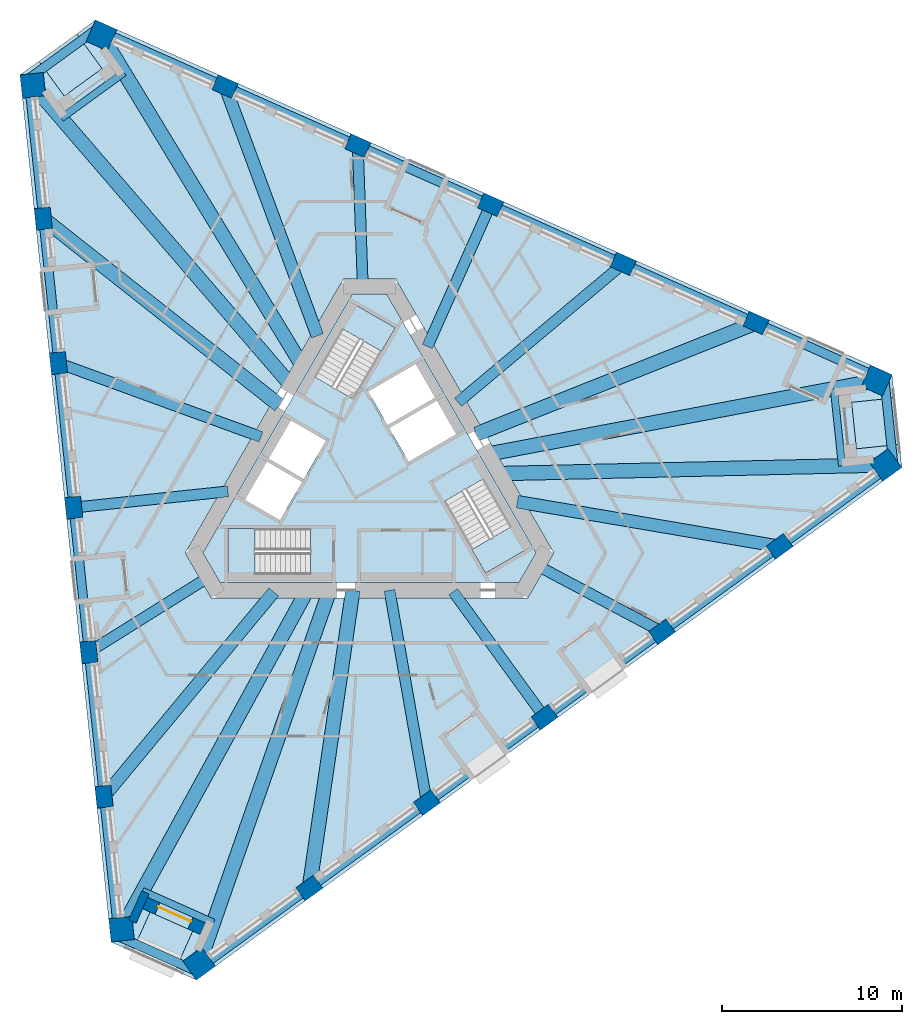
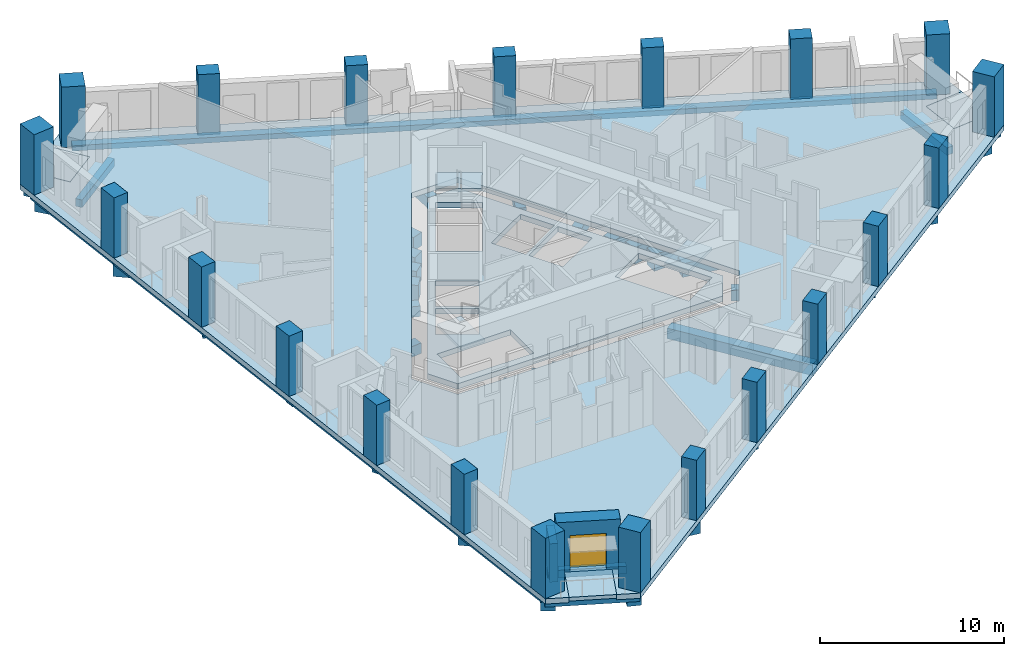
# One storey, part 1 of 14: 30 beams, 21 columns, 8 slabs, 2 walls, 1 door, 1 opening, 3 elements without a shape of their own.
"""IFC4 building model written with IfcOpenShell, lengths in metres."""

from ifc_helpers import new_model, si_unit, direction, frame, frame_2d, origin, origin_2d, place, context, subcontext, project, spatial, polyline, rectangle, outline, extrude, material, layer, layer_set, material_profile, profile_set, type_object, element, fill, aggregate, save


model = new_model("IFC4")

# Units and contexts
model_context = context("Model", 3, precision=1e-05, world=origin(), true_north=direction((0.0, 1.0)))
body_context = subcontext(model_context, "Body", "Model", "MODEL_VIEW")
ifc_project = project(units=[si_unit("LENGTHUNIT", "METRE"), si_unit("AREAUNIT", "SQUARE_METRE"), si_unit("VOLUMEUNIT", "CUBIC_METRE"), si_unit("PLANEANGLEUNIT", "RADIAN"), si_unit("MASSUNIT", "GRAM", prefix="KILO")], contexts=[model_context])

# Site, building, storey
site_placement = place(None, origin())
site = spatial("IfcSite", under=ifc_project, at=site_placement, CompositionType="ELEMENT")
building_placement = place(site_placement, origin())
building = spatial("IfcBuilding", under=site, at=building_placement, Name="Tramontana Tower", CompositionType="ELEMENT")
storey_placement = place(building_placement, frame((0.0, 0.0, 174.800048828125)))
storey = spatial("IfcBuildingStorey", under=building, at=storey_placement, Name="L40", CompositionType="ELEMENT", Elevation=174.800048828125)

# Columns
ifc_material_1 = material(Name="Concrete 55 MPa", Category="concrete")
ifc_material_profile_1 = material_profile(ifc_material_1, rectangle(XDim=1.300048828125, YDim=1.300048828125, at=origin_2d()), Name="Mega column 1300X1300 55 MPa")
ifc_profile_set_1 = profile_set([ifc_material_profile_1], Name="Concrete 55 MPa")
column_type_1 = type_object("IfcColumnType", Name="Mega column 1300X1300 55 MPa", PredefinedType="COLUMN", material=ifc_profile_set_1)
for number, where, z_axis, x_axis, name in (
    (1, (-18.72705078125, 21.760498046875, 0.0), (0.0, 0.0, 1.0), (0.104528463268, -0.994521895368, 0.0), "Mega column C4K1 L40"),
    (2, (-13.793701171875, -25.178466796875, 0.0), (0.0, 0.0, 1.0), (0.104528463268, -0.994521895368, 0.0), "Mega column C4K2 L40"),
    (3, (-9.4814453125, -27.098388671875, 0.0), (0.0, 0.0, 1.0), (0.809016994375, 0.587785252292, 0.0), "Mega column C4K3 L40"),
    (4, (28.7021484375, 0.6435546875, 0.0), (0.0, 0.0, 1.0), (0.809016994375, 0.587785252292, 0.0), "Mega column C4K4 L40"),
    (5, (28.208740234375, 5.337890625, 0.0), (0.0, 0.0, 1.0), (-0.913545457643, 0.406736643076, 0.0), "Mega column C4K5 L40"),
    (6, (-14.908447265625, 24.534912109375, 0.0), (0.0, 0.0, 1.0), (-0.913545457643, 0.406736643076, 0.0), "Mega column C4K6 L40"),
):
    element("IfcColumn", number, at=place(storey_placement, frame(where, z_axis=z_axis, x_axis=x_axis)), inside=storey, type_object=column_type_1, Name=name, PredefinedType="COLUMN", context=body_context, shape_type="SweptSolid", body=[
        extrude(rectangle(XDim=1.300048828125, YDim=1.300048828125, at=origin_2d()), origin(), (0.0, 0.0, 1.0), 4.0),
    ])
ifc_material_2 = material(Name="Concrete 55 MPa", Category="concrete")
ifc_material_profile_2 = material_profile(ifc_material_2, rectangle(XDim=1.199951171875, YDim=0.89990234375, at=origin_2d()), Name="Pier column 1200X900 55 MPa")
ifc_profile_set_2 = profile_set([ifc_material_profile_2], Name="Concrete 55 MPa")
column_type_2 = type_object("IfcColumnType", Name="Pier column 1200X900 55 MPa", PredefinedType="COLUMN", material=ifc_profile_set_2)
for number, where, z_axis, x_axis, name in (
    (7, (-18.149169921875, 14.347412109375, 0.0), (0.0, 0.0, 1.0), (0.104528463268, -0.994521895368, 0.0), "Pier column C4F01 L40"),
    (8, (-17.30419921875, 6.30859375, 0.0), (0.0, 0.0, 1.0), (0.104528463268, -0.994521895368, 0.0), "Pier column C4F02 L40"),
    (9, (-16.459228515625, -1.72998046875, 0.0), (0.0, 0.0, 1.0), (0.104528463268, -0.994521895368, 0.0), "Pier column C4F03 L40"),
    (10, (-15.614501953125, -9.7685546875, 0.0), (0.0, 0.0, 1.0), (0.104528463268, -0.994521895368, 0.0), "Pier column C4F04 L40"),
    (11, (-14.76953125, -17.80712890625, 0.0), (0.0, 0.0, 1.0), (0.104528463268, -0.994521895368, 0.0), "Pier column C4F05 L40"),
    (12, (-3.3505859375, -22.891357421875, 0.0), (0.0, 0.0, 1.0), (0.809016994375, 0.587785252292, 0.0), "Pier column C4F06 L40"),
    (13, (3.188720703125, -18.14013671875, 0.0), (0.0, 0.0, 1.0), (0.809016994375, 0.587785252292, 0.0), "Pier column C4F07 L40"),
    (14, (9.727783203125, -13.38916015625, 0.0), (0.0, 0.0, 1.0), (0.809016994375, 0.587785252292, 0.0), "Pier column C4F08 L40"),
    (15, (16.26708984375, -8.63818359375, 0.0), (0.0, 0.0, 1.0), (0.809016994375, 0.587785252292, 0.0), "Pier column C4F09 L40"),
    (16, (22.80615234375, -3.88720703125, 0.0), (0.0, 0.0, 1.0), (0.809016994375, 0.587785252292, 0.0), "Pier column C4F10 L40"),
    (17, (21.499755859375, 8.5439453125, 0.0), (0.0, 0.0, 1.0), (-0.913545457643, 0.406736643076, 0.0), "Pier column C4F11 L40"),
    (18, (14.115478515625, 11.83154296875, 0.0), (0.0, 0.0, 1.0), (-0.913545457643, 0.406736643076, 0.0), "Pier column C4F12 L40"),
    (19, (6.7314453125, 15.119140625, 0.0), (0.0, 0.0, 1.0), (-0.913545457643, 0.406736643076, 0.0), "Pier column C4F13 L40"),
    (20, (-0.652587890625, 18.40673828125, 0.0), (0.0, 0.0, 1.0), (-0.913545457643, 0.406736643076, 0.0), "Pier column C4F14 L40"),
    (21, (-8.03662109375, 21.6943359375, 0.0), (0.0, 0.0, 1.0), (-0.913545457643, 0.406736643076, 0.0), "Pier column C4F15 L40"),
):
    element("IfcColumn", number, at=place(storey_placement, frame(where, z_axis=z_axis, x_axis=x_axis)), inside=storey, type_object=column_type_2, Name=name, PredefinedType="COLUMN", context=body_context, shape_type="SweptSolid", body=[
        extrude(rectangle(XDim=1.199951171875, YDim=0.89990234375, at=origin_2d()), origin(), (0.0, 0.0, 1.0), 4.0),
    ])

# Beams
ifc_material_3 = material(Name="Concrete 40 MPa", Category="concrete")
ifc_material_profile_3 = material_profile(ifc_material_3, rectangle(XDim=0.5, YDim=0.35009765625, at=origin_2d()), Name="RC EDGE BEAM 500X350 40 MPa")
ifc_profile_set_3 = profile_set([ifc_material_profile_3], Name="Concrete 40 MPa")
beam_type_1 = type_object("IfcBeamType", Name="RC EDGE BEAM 500X350 40 MPa", PredefinedType="SPANDREL", material=ifc_profile_set_3)
for number, where, z_axis, x_axis, name in (
    (22, (-18.926025390625, 21.739501953125, -0.525146484375), (0.104525646884, -0.994522191378, 0.0), (0.994522191378, 0.104525646884, 0.0), "Spandrel beam S0 L40"),
    (23, (-9.364013671875, -27.26025390625, -0.525146484375), (0.809017612716, 0.587784401218, 0.0), (-0.587784401218, 0.809017612716, 0.0), "Spandrel beam S1 L40"),
):
    element("IfcBeam", number, at=place(storey_placement, frame(where, z_axis=z_axis, x_axis=x_axis)), inside=storey, type_object=beam_type_1, Name=name, PredefinedType="SPANDREL", context=body_context, shape_type="SweptSolid", body=[
        extrude(rectangle(XDim=0.5, YDim=0.35009765625, at=origin_2d()), origin(), (0.0, 0.0, 1.0), 47.197509765625),
    ])
beam_1_placement = place(storey_placement, frame((28.2900390625, 5.520751953125, -0.525146484375), z_axis=(-0.913546423332, 0.406734474095, 0.0), x_axis=(-0.406734474095, -0.913546423332, 0.0)))
element("IfcBeam", 24, at=beam_1_placement, inside=storey, type_object=beam_type_1, Name="Spandrel beam S2 L40", PredefinedType="SPANDREL", context=body_context, shape_type="SweptSolid", body=[
    extrude(rectangle(XDim=0.5, YDim=0.35009765625, at=origin_2d()), origin(), (0.0, 0.0, 1.0), 47.197265625),
])
beam_2_placement = place(storey_placement, frame((-14.973388671875, 25.029052734375, -0.525146484375), z_axis=(-0.809008263593, -0.587797268995, 0.0), x_axis=(0.587797268995, -0.809008263593, 0.0)))
element("IfcBeam", 25, at=beam_2_placement, inside=storey, type_object=beam_type_1, Name="Spandrel beam K0 L40", PredefinedType="SPANDREL", context=body_context, shape_type="SweptSolid", body=[
    extrude(rectangle(XDim=0.5, YDim=0.35009765625, at=origin_2d()), origin(), (0.0, 0.0, 1.0), 5.196044921875),
])
for number, where, z_axis, x_axis, name in (
    (26, (-14.189208984375, -25.481689453125, -0.525146484375), (0.91354592127, -0.40673560175, 0.0), (0.40673560175, 0.91354592127, 0.0), "Spandrel beam K1 L40"),
    (27, (29.162353515625, 0.45263671875, -0.525146484375), (-0.104494011766, 0.994525515764, 0.0), (-0.994525515764, -0.104494011766, 0.0), "Spandrel beam K2 L40"),
):
    element("IfcBeam", number, at=place(storey_placement, frame(where, z_axis=z_axis, x_axis=x_axis)), inside=storey, type_object=beam_type_1, Name=name, PredefinedType="SPANDREL", context=body_context, shape_type="SweptSolid", body=[
        extrude(rectangle(XDim=0.5, YDim=0.35009765625, at=origin_2d()), origin(), (0.0, 0.0, 1.0), 5.1962890625),
    ])
ifc_material_4 = material(Name="Concrete 40 MPa", Category="concrete")
ifc_material_profile_4 = material_profile(ifc_material_4, rectangle(XDim=0.60009765625, YDim=0.699951171875, at=origin_2d()), Name="RC GIRDER 600X700 40 MPa")
ifc_profile_set_4 = profile_set([ifc_material_profile_4], Name="Concrete 40 MPa")
beam_type_2 = type_object("IfcBeamType", Name="RC GIRDER 600X700 40 MPa", PredefinedType="BEAM", material=ifc_profile_set_4)
beam_3_placement = place(storey_placement, frame((-17.30419921875, 6.30859375, -0.699951171875), z_axis=(0.939513090247, -0.342512997205, 0.0), x_axis=(0.342512997205, 0.939513090247, 0.0)))
element("IfcBeam", 28, at=beam_3_placement, inside=storey, type_object=beam_type_2, Name="Radial girder C4F02 L40", PredefinedType="BEAM", context=body_context, shape_type="SweptSolid", body=[
    extrude(rectangle(XDim=0.60009765625, YDim=0.699951171875, at=origin_2d()), origin(), (0.0, 0.0, 1.0), 11.989990234375),
])
beam_4_placement = place(storey_placement, frame((-16.459228515625, -1.72998046875, -0.699951171875), z_axis=(0.994520630985, 0.104540492367, 0.0), x_axis=(-0.104540492367, 0.994520630985, 0.0)))
element("IfcBeam", 29, at=beam_4_placement, inside=storey, type_object=beam_type_2, Name="Radial girder C4F03 L40", PredefinedType="BEAM", context=body_context, shape_type="SweptSolid", body=[
    extrude(rectangle(XDim=0.60009765625, YDim=0.699951171875, at=origin_2d()), origin(), (0.0, 0.0, 1.0), 8.631591796875),
])
beam_5_placement = place(storey_placement, frame((-15.614501953125, -9.7685546875, -0.699951171875), z_axis=(0.847767192537, 0.530368539091, 0.0), x_axis=(-0.530368539091, 0.847767192537, 0.0)))
element("IfcBeam", 30, at=beam_5_placement, inside=storey, type_object=beam_type_2, Name="Radial girder C4F04 L40", PredefinedType="BEAM", context=body_context, shape_type="SweptSolid", body=[
    extrude(rectangle(XDim=0.60009765625, YDim=0.699951171875, at=origin_2d()), origin(), (0.0, 0.0, 1.0), 7.83642578125),
])
beam_6_placement = place(storey_placement, frame((3.188720703125, -18.14013671875, -0.699951171875), z_axis=(-0.173139447083, 0.984897320467, 0.0), x_axis=(-0.984897320467, -0.173139447083, 0.0)))
element("IfcBeam", 31, at=beam_6_placement, inside=storey, type_object=beam_type_2, Name="Radial girder C4F07 L40", PredefinedType="BEAM", context=body_context, shape_type="SweptSolid", body=[
    extrude(rectangle(XDim=0.60009765625, YDim=0.699951171875, at=origin_2d()), origin(), (0.0, 0.0, 1.0), 11.989990234375),
])
beam_7_placement = place(storey_placement, frame((9.727783203125, -13.38916015625, -0.699951171875), z_axis=(-0.587793224159, 0.809011202415, 0.0), x_axis=(-0.809011202415, -0.587793224159, 0.0)))
element("IfcBeam", 32, at=beam_7_placement, inside=storey, type_object=beam_type_2, Name="Radial girder C4F08 L40", PredefinedType="BEAM", context=body_context, shape_type="SweptSolid", body=[
    extrude(rectangle(XDim=0.60009765625, YDim=0.699951171875, at=origin_2d()), origin(), (0.0, 0.0, 1.0), 8.63134765625),
])
beam_8_placement = place(storey_placement, frame((16.26708984375, -8.63818359375, -0.699951171875), z_axis=(-0.883198396805, 0.468999564905, 0.0), x_axis=(-0.468999564905, -0.883198396805, 0.0)))
element("IfcBeam", 33, at=beam_8_placement, inside=storey, type_object=beam_type_2, Name="Radial girder C4F09 L40", PredefinedType="BEAM", context=body_context, shape_type="SweptSolid", body=[
    extrude(rectangle(XDim=0.60009765625, YDim=0.699951171875, at=origin_2d()), origin(), (0.0, 0.0, 1.0), 7.83642578125),
])
beam_9_placement = place(storey_placement, frame((14.115478515625, 11.83154296875, -0.699951171875), z_axis=(-0.766377147971, -0.642390898961, 0.0), x_axis=(0.642390898961, -0.766377147971, 0.0)))
element("IfcBeam", 34, at=beam_9_placement, inside=storey, type_object=beam_type_2, Name="Radial girder C4F12 L40", PredefinedType="BEAM", context=body_context, shape_type="SweptSolid", body=[
    extrude(rectangle(XDim=0.60009765625, YDim=0.699951171875, at=origin_2d()), origin(), (0.0, 0.0, 1.0), 11.98974609375),
])
beam_10_placement = place(storey_placement, frame((6.7314453125, 15.119140625, -0.699951171875), z_axis=(-0.406736735655, -0.913545416424, 0.0), x_axis=(0.913545416424, -0.406736735655, 0.0)))
element("IfcBeam", 35, at=beam_10_placement, inside=storey, type_object=beam_type_2, Name="Radial girder C4F13 L40", PredefinedType="BEAM", context=body_context, shape_type="SweptSolid", body=[
    extrude(rectangle(XDim=0.60009765625, YDim=0.699951171875, at=origin_2d()), origin(), (0.0, 0.0, 1.0), 8.631591796875),
])
beam_11_placement = place(storey_placement, frame((-0.652587890625, 18.40673828125, -0.699951171875), z_axis=(0.035422608777, -0.999372422467, 0.0), x_axis=(0.999372422467, 0.035422608777, 0.0)))
element("IfcBeam", 36, at=beam_11_placement, inside=storey, type_object=beam_type_2, Name="Radial girder C4F14 L40", PredefinedType="BEAM", context=body_context, shape_type="SweptSolid", body=[
    extrude(rectangle(XDim=0.60009765625, YDim=0.699951171875, at=origin_2d()), origin(), (0.0, 0.0, 1.0), 7.83642578125),
])
ifc_material_5 = material(Name="Concrete 40 MPa", Category="concrete")
ifc_material_profile_5 = material_profile(ifc_material_5, rectangle(XDim=0.699951171875, YDim=0.89990234375, at=origin_2d()), Name="RC GIRDER 700X900 40 MPa")
ifc_profile_set_5 = profile_set([ifc_material_profile_5], Name="Concrete 40 MPa")
beam_type_3 = type_object("IfcBeamType", Name="RC GIRDER 700X900 40 MPa", PredefinedType="BEAM", material=ifc_profile_set_5)
for number, where, z_axis, x_axis, name in (
    (37, (-14.76953125, -17.80712890625, -0.800048828125), (0.638406477844, 0.769699401745, 0.0), (-0.769699401745, 0.638406477844, 0.0), "Radial girder C4F05 L40"),
    (38, (22.806396484375, -3.88720703125, -0.800048828125), (-0.985783673381, 0.168019490821, 0.0), (-0.168019490821, -0.985783673381, 0.0), "Radial girder C4F10 L40"),
    (39, (-8.03662109375, 21.6943359375, -0.800048828125), (0.347381556139, -0.93772386898, 0.0), (0.93772386898, 0.347381556139, 0.0), "Radial girder C4F15 L40"),
):
    element("IfcBeam", number, at=place(storey_placement, frame(where, z_axis=z_axis, x_axis=x_axis)), inside=storey, type_object=beam_type_3, Name=name, PredefinedType="BEAM", context=body_context, shape_type="SweptSolid", body=[
        extrude(rectangle(XDim=0.699951171875, YDim=0.89990234375, at=origin_2d()), origin(), (0.0, 0.0, 1.0), 14.79052734375),
    ])
ifc_material_6 = material(Name="Concrete 40 MPa", Category="concrete")
ifc_material_profile_6 = material_profile(ifc_material_6, rectangle(XDim=0.800048828125, YDim=1.10009765625, at=origin_2d()), Name="RC GIRDER 800X1100 40 MPa")
ifc_profile_set_6 = profile_set([ifc_material_profile_6], Name="Concrete 40 MPa")
beam_type_4 = type_object("IfcBeamType", Name="RC GIRDER 800X1100 40 MPa", PredefinedType="BEAM", material=ifc_profile_set_6)
beam_12_placement = place(storey_placement, frame((-18.727294921875, 21.760498046875, -0.900146484375), z_axis=(0.652300085393, -0.757960816004, 0.0), x_axis=(0.757960816004, 0.652300085393, 0.0)))
element("IfcBeam", 40, at=beam_12_placement, inside=storey, type_object=beam_type_4, Name="Radial girder C4K1 L40", PredefinedType="BEAM", context=body_context, shape_type="SweptSolid", body=[
    extrude(rectangle(XDim=0.800048828125, YDim=1.10009765625, at=origin_2d()), origin(), (0.0, 0.0, 1.0), 21.983154296875),
])
beam_13_placement = place(storey_placement, frame((-18.149169921875, 14.347412109375, -0.900146484375), z_axis=(0.784478628915, -0.620155852005, 0.0), x_axis=(0.620155852005, 0.784478628915, 0.0)))
element("IfcBeam", 41, at=beam_13_placement, inside=storey, type_object=beam_type_4, Name="Radial girder C4F01 L40", PredefinedType="BEAM", context=body_context, shape_type="SweptSolid", body=[
    extrude(rectangle(XDim=0.800048828125, YDim=1.10009765625, at=origin_2d()), origin(), (0.0, 0.0, 1.0), 16.73828125),
])
beam_14_placement = place(storey_placement, frame((-13.793701171875, -25.178466796875, -0.900146484375), z_axis=(0.480462301802, 0.877015379881, 0.0), x_axis=(-0.877015379881, 0.480462301802, 0.0)))
element("IfcBeam", 42, at=beam_14_placement, inside=storey, type_object=beam_type_4, Name="Radial girder C4K2 L40", PredefinedType="BEAM", context=body_context, shape_type="SweptSolid", body=[
    extrude(rectangle(XDim=0.800048828125, YDim=1.10009765625, at=origin_2d()), origin(), (0.0, 0.0, 1.0), 21.437744140625),
])
beam_15_placement = place(storey_placement, frame((-9.4814453125, -27.098388671875, -0.900146484375), z_axis=(0.330256430983, 0.943891248924, 0.0), x_axis=(-0.943891248924, 0.330256430983, 0.0)))
element("IfcBeam", 43, at=beam_15_placement, inside=storey, type_object=beam_type_4, Name="Radial girder C4K3 L40", PredefinedType="BEAM", context=body_context, shape_type="SweptSolid", body=[
    extrude(rectangle(XDim=0.800048828125, YDim=1.10009765625, at=origin_2d()), origin(), (0.0, 0.0, 1.0), 21.98291015625),
])
beam_16_placement = place(storey_placement, frame((-3.3505859375, -22.891357421875, -0.900146484375), z_axis=(0.144822515675, 0.989457648893, 0.0), x_axis=(-0.989457648893, 0.144822515675, 0.0)))
element("IfcBeam", 44, at=beam_16_placement, inside=storey, type_object=beam_type_4, Name="Radial girder C4F06 L40", PredefinedType="BEAM", context=body_context, shape_type="SweptSolid", body=[
    extrude(rectangle(XDim=0.800048828125, YDim=1.10009765625, at=origin_2d()), origin(), (0.0, 0.0, 1.0), 16.73828125),
])
beam_17_placement = place(storey_placement, frame((28.701904296875, 0.6435546875, -0.900146484375), z_axis=(-0.999748807881, -0.022412521973, 0.0), x_axis=(0.022412521973, -0.999748807881, 0.0)))
element("IfcBeam", 45, at=beam_17_placement, inside=storey, type_object=beam_type_4, Name="Radial girder C4K4 L40", PredefinedType="BEAM", context=body_context, shape_type="SweptSolid", body=[
    extrude(rectangle(XDim=0.800048828125, YDim=1.10009765625, at=origin_2d()), origin(), (0.0, 0.0, 1.0), 21.4375),
])
beam_18_placement = place(storey_placement, frame((28.20849609375, 5.337890625, -0.900146484375), z_axis=(-0.982562021037, -0.185935136045, 0.0), x_axis=(0.185935136045, -0.982562021037, 0.0)))
element("IfcBeam", 46, at=beam_18_placement, inside=storey, type_object=beam_type_4, Name="Radial girder C4K5 L40", PredefinedType="BEAM", context=body_context, shape_type="SweptSolid", body=[
    extrude(rectangle(XDim=0.800048828125, YDim=1.10009765625, at=origin_2d()), origin(), (0.0, 0.0, 1.0), 21.98291015625),
])
beam_19_placement = place(storey_placement, frame((21.499755859375, 8.5439453125, -0.900146484375), z_axis=(-0.929307244414, -0.369307521558, 0.0), x_axis=(0.369307521558, -0.929307244414, 0.0)))
element("IfcBeam", 47, at=beam_19_placement, inside=storey, type_object=beam_type_4, Name="Radial girder C4F11 L40", PredefinedType="BEAM", context=body_context, shape_type="SweptSolid", body=[
    extrude(rectangle(XDim=0.800048828125, YDim=1.10009765625, at=origin_2d()), origin(), (0.0, 0.0, 1.0), 16.738525390625),
])
beam_20_placement = place(storey_placement, frame((-14.908447265625, 24.534912109375, -0.900146484375), z_axis=(0.519297566275, -0.854593492639, 0.0), x_axis=(0.854593492639, 0.519297566275, 0.0)))
element("IfcBeam", 48, at=beam_20_placement, inside=storey, type_object=beam_type_4, Name="Radial girder C4K6 L40", PredefinedType="BEAM", context=body_context, shape_type="SweptSolid", body=[
    extrude(rectangle(XDim=0.800048828125, YDim=1.10009765625, at=origin_2d()), origin(), (0.0, 0.0, 1.0), 21.437744140625),
])
ifc_material_7 = material(Name="Concrete 40 MPa", Category="concrete")
ifc_material_profile_7 = material_profile(ifc_material_7, rectangle(XDim=0.39990234375, YDim=0.5, at=origin_2d()), Name="RC TRIM BEAM 400X500 40 MPa")
ifc_profile_set_7 = profile_set([ifc_material_profile_7], Name="Concrete 40 MPa")
beam_type_5 = type_object("IfcBeamType", Name="RC TRIM BEAM 400X500 40 MPa", PredefinedType="JOIST", material=ifc_profile_set_7)
for number, where, z_axis, x_axis, name in (
    (49, (-13.651611328125, 22.466552734375, -0.60009765625), (-0.808997350037, -0.587812289453, 0.0), (0.587812289453, -0.808997350037, 0.0), "Trimmer beam K0 L40"),
    (50, (-12.630859375, -23.055908203125, -0.60009765625), (0.913548159873, -0.406730573714, 0.0), (0.406730573714, 0.913548159873, 0.0), "Trimmer beam K1 L40"),
):
    element("IfcBeam", number, at=place(storey_placement, frame(where, z_axis=z_axis, x_axis=x_axis)), inside=storey, type_object=beam_type_5, Name=name, PredefinedType="JOIST", context=body_context, shape_type="SweptSolid", body=[
        extrude(rectangle(XDim=0.39990234375, YDim=0.5, at=origin_2d()), origin(), (0.0, 0.0, 1.0), 4.322509765625),
    ])
beam_21_placement = place(storey_placement, frame((26.282470703125, 0.58935546875, -0.60009765625), z_axis=(-0.104552471013, 0.99451937176, 0.0), x_axis=(-0.99451937176, -0.104552471013, 0.0)))
element("IfcBeam", 51, at=beam_21_placement, inside=storey, type_object=beam_type_5, Name="Trimmer beam K2 L40", PredefinedType="JOIST", context=body_context, shape_type="SweptSolid", body=[
    extrude(rectangle(XDim=0.39990234375, YDim=0.5, at=origin_2d()), origin(), (0.0, 0.0, 1.0), 4.322265625),
])

# Slabs
ifc_material_8 = material(Name="Precast concrete 50 MPa", Category="concrete")
ifc_layer_1 = layer(ifc_material_8, 0.25)
ifc_layer_set_1 = layer_set([ifc_layer_1], Name="LT1 Loggia floor tray 250")
slab_type_1 = type_object("IfcSlabType", Name="LT1 Loggia floor tray 250", PredefinedType="FLOOR", material=ifc_layer_set_1)
slab_1_placement = place(storey_placement, frame((0.0, 0.0, -0.25)))
element("IfcSlab", 52, at=slab_1_placement, inside=storey, type_object=slab_type_1, Name="Corner loggia floor L40 K40", PredefinedType="FLOOR", context=body_context, shape_type="SweptSolid", body=[
    extrude(outline(polyline([(-16.287841796875, 24.630126953125), (-14.877197265625, 22.6884765625), (-16.980712890625, 21.16015625), (-18.391357421875, 23.101806640625), (-16.287841796875, 24.630126953125)])), origin(), (0.0, 0.0, 1.0), 0.25),
])
slab_2_placement = place(storey_placement, frame((0.0, 0.0, -0.25)))
element("IfcSlab", 53, at=slab_2_placement, inside=storey, type_object=slab_type_1, Name="Corner loggia floor L40 K41", PredefinedType="FLOOR", context=body_context, shape_type="SweptSolid", body=[
    extrude(outline(polyline([(-13.186279296875, -26.4208984375), (-12.210205078125, -24.228271484375), (-9.8349609375, -25.285888671875), (-10.81103515625, -27.478271484375), (-13.186279296875, -26.4208984375)])), origin(), (0.0, 0.0, 1.0), 0.25),
])
slab_3_placement = place(storey_placement, frame((0.0, 0.0, -0.25)))
element("IfcSlab", 54, at=slab_3_placement, inside=storey, type_object=slab_type_1, Name="Corner loggia floor L40 K42", PredefinedType="FLOOR", context=body_context, shape_type="SweptSolid", body=[
    extrude(outline(polyline([(29.474365234375, 1.790771484375), (27.08740234375, 1.539794921875), (26.815673828125, 4.12548828125), (29.202392578125, 4.37646484375), (29.474365234375, 1.790771484375)])), origin(), (0.0, 0.0, 1.0), 0.25),
])
ifc_material_9 = material(Name="Concrete 40 MPa", Category="concrete")
ifc_layer_2 = layer(ifc_material_9, 0.35009765625)
ifc_layer_set_2 = layer_set([ifc_layer_2], Name="PT FLAT SLAB 350 40 MPa")
slab_type_2 = type_object("IfcSlabType", Name="PT FLAT SLAB 350 40 MPa", PredefinedType="FLOOR", material=ifc_layer_set_2)
slab_4_placement = place(storey_placement, frame((0.0, 0.0, -0.35009765625)))
element("IfcSlab", 55, at=slab_4_placement, inside=storey, type_object=slab_type_2, Name="Floor slab L40", PredefinedType="FLOOR", context=body_context, shape_type="SweptSolid", body=[
    extrude(outline(polyline([(29.202392578125, 4.37646484375), (26.815673828125, 4.12548828125), (27.08740234375, 1.539794921875), (29.474365234375, 1.790771484375), (29.610107421875, 0.499755859375), (-9.625244140625, -28.00634765625), (-10.81103515625, -27.478271484375), (-9.8349609375, -25.285888671875), (-12.210205078125, -24.228271484375), (-13.186279296875, -26.4208984375), (-14.372314453125, -25.892822265625), (-19.441650390625, 22.3388671875), (-18.391357421875, 23.101806640625), (-16.980712890625, 21.16015625), (-14.877197265625, 22.6884765625), (-16.287841796875, 24.630126953125), (-15.23779296875, 25.39306640625), (29.06689453125, 5.66748046875), (29.202392578125, 4.37646484375)]), holes=[polyline([(-10.248046875, -4.25), (-8.8046875, -6.75), (8.8046875, -6.75), (10.248046875, -4.25), (1.443359375, 11.0), (-1.443359375, 11.0), (-10.248046875, -4.25)])]), origin(), (0.0, 0.0, 1.0), 0.35009765625),
])
slab_5_placement = place(storey_placement, frame((0.0, 0.0, -0.35009765625)))
element("IfcSlab", 56, at=slab_5_placement, inside=storey, type_object=slab_type_2, Name="Core floor slab L40", PredefinedType="FLOOR", context=body_context, shape_type="SweptSolid", body=[
    extrude(outline(polyline([(9.2666015625, -4.25), (8.313720703125, -5.89990234375), (-8.313720703125, -5.89990234375), (-9.2666015625, -4.25), (-0.95263671875, 10.14990234375), (0.95263671875, 10.14990234375), (9.2666015625, -4.25)]), holes=[polyline([(8.659912109375, -4.099365234375), (6.35986328125, -0.115478515625), (4.151611328125, -1.390625), (6.451416015625, -5.374267578125), (8.659912109375, -4.099365234375)]), polyline([(3.829833984375, 4.2666015625), (1.101806640625, 2.69140625), (2.177001953125, 0.82958984375), (4.90478515625, 2.404541015625), (3.829833984375, 4.2666015625)]), polyline([(2.65478515625, 6.3017578125), (-0.072998046875, 4.726806640625), (1.001953125, 2.86474609375), (3.729736328125, 4.439697265625), (2.65478515625, 6.3017578125)]), polyline([(-0.77978515625, 9.54931640625), (-3.079833984375, 5.565673828125), (-0.87158203125, 4.29052734375), (1.428466796875, 8.2744140625), (-0.77978515625, 9.54931640625)]), polyline([(-5.689697265625, 1.044921875), (-3.65478515625, -0.130126953125), (-2.4296875, 1.99169921875), (-4.46484375, 3.166748046875), (-5.689697265625, 1.044921875)]), polyline([(-3.280029296875, -5.449951171875), (-3.280029296875, -2.89990234375), (-7.8798828125, -2.89990234375), (-7.8798828125, -5.449951171875), (-3.280029296875, -5.449951171875)]), polyline([(-7.014892578125, -1.25), (-4.979736328125, -2.425048828125), (-3.754638671875, -0.30322265625), (-5.789794921875, 0.87158203125), (-7.014892578125, -1.25)])]), origin(), (0.0, 0.0, 1.0), 0.35009765625),
])

# Stair, slab
ifc_material_10 = material(Name="Concrete 40 MPa", Category="concrete")
stair_type = type_object("IfcStairType", Name="EXIT STAIR 24 RISERS", PredefinedType="HALF_TURN_STAIR", material=ifc_material_10)
stair_1_placement = place(storey_placement, origin())
stair_1 = element("IfcStair", 57, at=stair_1_placement, inside=storey, type_object=stair_type, Name="L40 Exit stair ST1", PredefinedType="HALF_TURN_STAIR")
ifc_material_11 = material(Name="Concrete 40 MPa", Category="concrete")
ifc_layer_3 = layer(ifc_material_11, 0.199951171875)
ifc_layer_set_3 = layer_set([ifc_layer_3], Name="STAIR LANDING 200")
slab_type_3 = type_object("IfcSlabType", Name="STAIR LANDING 200", PredefinedType="LANDING", material=ifc_layer_set_3)
slab_6_placement = place(storey_placement, frame((0.0, 0.0, 1.800048828125)))
slab_6 = element("IfcSlab", 58, at=slab_6_placement, type_object=slab_type_3, Name="ST1 landing 1", PredefinedType="LANDING", context=body_context, shape_type="SweptSolid", body=[
    extrude(outline(polyline([(0.66845703125, 6.9580078125), (1.428466796875, 8.274169921875), (-0.77978515625, 9.54931640625), (-1.539794921875, 8.23291015625), (0.66845703125, 6.9580078125)])), origin(), (0.0, 0.0, 1.0), 0.199951171875),
])
aggregate(stair_1, [slab_6])

stair_2_placement = place(storey_placement, origin())
stair_2 = element("IfcStair", 59, at=stair_2_placement, inside=storey, type_object=stair_type, Name="L40 Exit stair ST2", PredefinedType="HALF_TURN_STAIR")
slab_7_placement = place(storey_placement, frame((0.0, 0.0, 1.800048828125)))
slab_7 = element("IfcSlab", 60, at=slab_7_placement, type_object=slab_type_3, Name="ST2 landing 1", PredefinedType="LANDING", context=body_context, shape_type="SweptSolid", body=[
    extrude(outline(polyline([(-6.360107421875, -2.89990234375), (-7.8798828125, -2.89990234375), (-7.8798828125, -5.449951171875), (-6.360107421875, -5.449951171875), (-6.360107421875, -2.89990234375)])), origin(), (0.0, 0.0, 1.0), 0.199951171875),
])
aggregate(stair_2, [slab_7])

stair_3_placement = place(storey_placement, origin())
stair_3 = element("IfcStair", 61, at=stair_3_placement, inside=storey, type_object=stair_type, Name="L40 Exit stair ST3", PredefinedType="HALF_TURN_STAIR")
slab_8_placement = place(storey_placement, frame((0.0, 0.0, 1.800048828125)))
slab_8 = element("IfcSlab", 62, at=slab_8_placement, type_object=slab_type_3, Name="ST3 landing 1", PredefinedType="LANDING", context=body_context, shape_type="SweptSolid", body=[
    extrude(outline(polyline([(5.69140625, -4.057861328125), (6.451416015625, -5.374267578125), (8.659912109375, -4.099365234375), (7.89990234375, -2.782958984375), (5.69140625, -4.057861328125)])), origin(), (0.0, 0.0, 1.0), 0.199951171875),
])
aggregate(stair_3, [slab_8])

# Wall
ifc_material_12 = material(Name="Precast concrete 60 MPa", Category="concrete")
ifc_layer_4 = layer(ifc_material_12, 0.449951171875)
ifc_layer_set_4 = layer_set([ifc_layer_4], Name="Precast concrete 60 MPa, 450 mm")
wall_type_1 = type_object("IfcWallType", Name="EW1 Stone-faced precast wall 450", PredefinedType="SOLIDWALL", material=ifc_layer_set_4)
wall_1_placement = place(storey_placement, frame((-13.184326171875, -24.757080078125, 0.0), z_axis=(0.0, 0.0, 1.0), x_axis=(0.406698557215, 0.913562413609, 0.0)))
element("IfcWall", 63, at=wall_1_placement, inside=storey, type_object=wall_type_1, Name="Corner loggia side wall L40 K41r", PredefinedType="SOLIDWALL", context=body_context, shape_type="SweptSolid", body=[
    extrude(rectangle(XDim=1.779296875, YDim=0.449951171875, at=frame_2d((0.8896484375, 0.0))), origin(), (0.0, 0.0, 1.0), 2.550048828125),
])

# Wall, opening, door
ifc_material_13 = material(Name="Precast concrete 60 MPa", Category="concrete")
ifc_layer_5 = layer(ifc_material_13, 0.89990234375)
ifc_layer_set_5 = layer_set([ifc_layer_5], Name="EW2 Stone-faced corner loggia wall 900")
wall_type_2 = type_object("IfcWallType", Name="EW2 Stone-faced corner loggia wall 900", PredefinedType="SOLIDWALL", material=ifc_layer_set_5)
wall_2_placement = place(storey_placement, frame((-9.24072265625, -25.057861328125, 0.0), z_axis=(0.0, 0.0, 1.0), x_axis=(-0.913549606868, 0.406727323635, 0.0)))
wall_2 = element("IfcWall", 64, at=wall_2_placement, inside=storey, type_object=wall_type_2, Name="Corner loggia wall L40 K41", PredefinedType="SOLIDWALL", context=body_context, shape_type="SweptSolid", body=[
    extrude(rectangle(XDim=3.5, YDim=0.89990234375, at=frame_2d((1.75, 0.0))), origin(), (0.0, 0.0, 1.0), 3.300048828125),
])
opening_placement = place(wall_2_placement, frame((0.75, 0.0, 0.0)))
opening = element("IfcOpeningElement", 65, at=opening_placement, cuts=wall_2, Name="Opening BD-41C", PredefinedType="OPENING", context=body_context, shape_type="SweptSolid", body=[
    extrude(rectangle(XDim=2.0, YDim=2.39990234375, at=frame_2d((1.0, 1.199951171875))), frame((0.0, 0.4599609375, 0.0), z_axis=(0.0, -1.0, 0.0), x_axis=(1.0, 0.0, 0.0)), (0.0, 0.0, 1.0), 0.919921875),
])
ifc_material_14 = material(Name="Aluminum frame, double glazing unit", Category="aluminium")
door_type = type_object("IfcDoorType", Name="BC1 Sliding door 2 x 2.4", OperationType="SLIDING_TO_LEFT", PredefinedType="DOOR", material=ifc_material_14)
door_placement = place(opening_placement, origin())
door = element("IfcDoor", 66, at=door_placement, inside=storey, type_object=door_type, Name="Corner loggia door L40 K41", OperationType="SLIDING_TO_LEFT", OverallHeight=2.39990234375, OverallWidth=2.0, PredefinedType="DOOR", context=body_context, shape_type="SweptSolid", body=[
    extrude(rectangle(XDim=2.0, YDim=2.39990234375, at=frame_2d((1.0, 1.199951171875))), frame((0.0, 0.02490234375, 0.0), z_axis=(0.0, -1.0, 0.0), x_axis=(1.0, 0.0, 0.0)), (0.0, 0.0, 1.0), 0.050048828125),
])
fill(opening, door)

save(model, "model.ifc")
